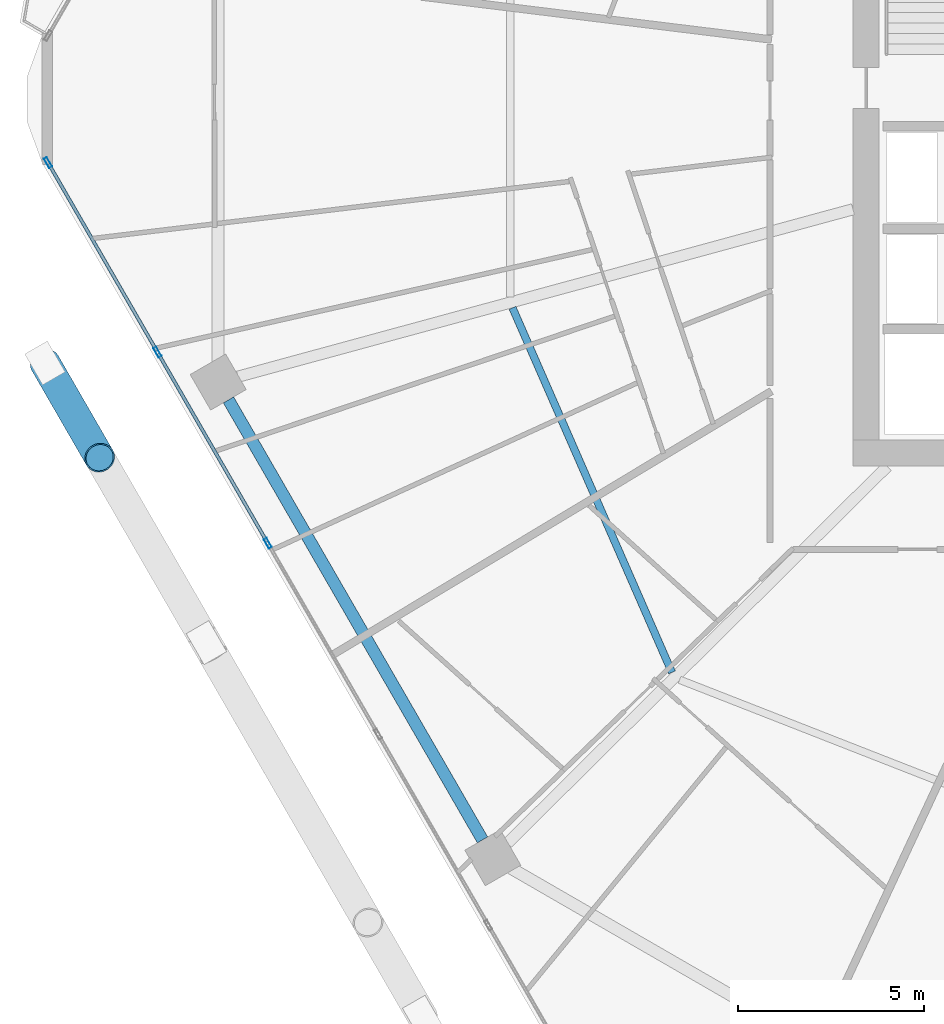
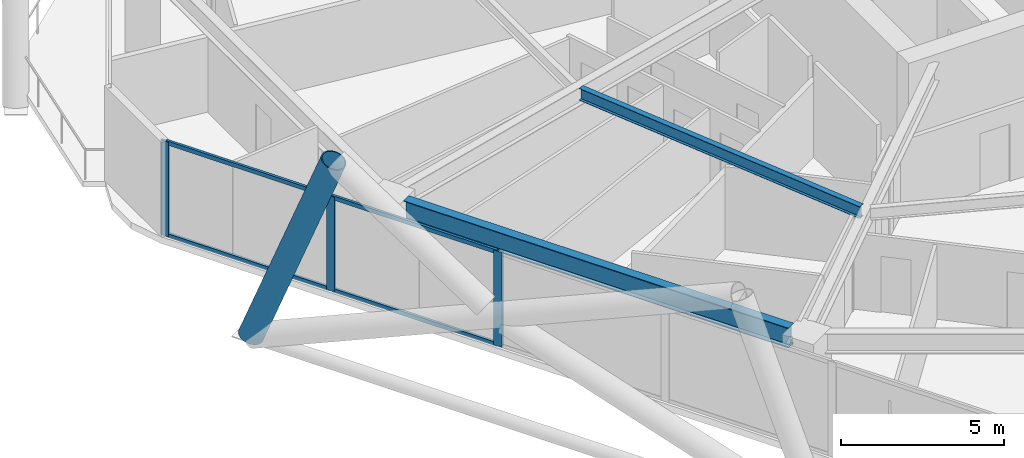
# One storey, part 6 of 36: 8 members, 2 beams, 1 element without a shape of its own.
"""IFC4 building model written with IfcOpenShell, lengths in metres."""

from ifc_helpers import new_model, si_unit, direction, frame, origin, origin_2d, place, context, subcontext, project, spatial, hollow_rectangle, hollow_circle, i_section, extrude, material, material_profile, profile_set, type_object, element, aggregate, save


model = new_model("IFC4")

# Units and contexts
model_context = context("Model", 3, precision=1e-05, world=origin(), true_north=direction((0.0, 1.0)))
body_context = subcontext(model_context, "Body", "Model", "MODEL_VIEW")
ifc_project = project(units=[si_unit("LENGTHUNIT", "METRE"), si_unit("AREAUNIT", "SQUARE_METRE"), si_unit("VOLUMEUNIT", "CUBIC_METRE"), si_unit("PLANEANGLEUNIT", "RADIAN"), si_unit("MASSUNIT", "GRAM", prefix="KILO")], contexts=[model_context])

# Site, building, storey
site_placement = place(None, origin())
site = spatial("IfcSite", under=ifc_project, at=site_placement, CompositionType="ELEMENT")
building_placement = place(site_placement, origin())
building = spatial("IfcBuilding", under=site, at=building_placement, Name="Zuhravey Tower", CompositionType="ELEMENT")
storey_placement = place(building_placement, frame((0.0, 0.0, 107.60009765625)))
storey = spatial("IfcBuildingStorey", under=building, at=storey_placement, Name="L26", CompositionType="ELEMENT", Elevation=107.60009765625)

# Curtain wall, members
ifc_material_1 = material(Name="Thermally broken anodised aluminium", Category="aluminium")
curtain_wall_type = type_object("IfcCurtainWallType", Name="Zone 1-2 Residential Curtain Wall CW3", PredefinedType="NOTDEFINED", material=ifc_material_1)
curtain_wall_placement = place(storey_placement, origin())
curtain_wall = element("IfcCurtainWall", 1, at=curtain_wall_placement, inside=storey, type_object=curtain_wall_type, Name="L26 CW3 CW-L26-F4-1", PredefinedType="NOTDEFINED")
ifc_material_2 = material(Name="Anodised aluminium", Category="aluminium")
ifc_material_profile_1 = material_profile(ifc_material_2, hollow_rectangle(XDim=0.090087890625, YDim=0.284912109375, WallThickness=0.0048828125, at=origin_2d()), Name="ALU-RHS-90x285x5")
ifc_profile_set_1 = profile_set([ifc_material_profile_1], Name="Anodised aluminium")
member_type_1 = type_object("IfcMemberType", Name="Curtain-Wall Mullion 90x180", PredefinedType="MULLION", material=ifc_profile_set_1)
member_1_placement = place(storey_placement, frame((9.44140625, 20.083984375, 0.0), z_axis=(0.0, 0.0, 1.0), x_axis=(-0.86602552265, -0.499999794119, 0.0)))
member_1 = element("IfcMember", 2, at=member_1_placement, type_object=member_type_1, Name="CW3 mullion 4", PredefinedType="MULLION", context=body_context, shape_type="SweptSolid", body=[
    extrude(hollow_rectangle(XDim=0.090087890625, YDim=0.284912109375, WallThickness=0.0048828125, at=origin_2d()), origin(), (0.0, 0.0, 1.0), 3.5498046875),
])
member_2_placement = place(storey_placement, frame((6.4814453125, 25.210693359375, 0.0), z_axis=(0.0, 0.0, 1.0), x_axis=(-0.86602552265, -0.499999794119, 0.0)))
member_2 = element("IfcMember", 3, at=member_2_placement, type_object=member_type_1, Name="CW3 mullion 5", PredefinedType="MULLION", context=body_context, shape_type="SweptSolid", body=[
    extrude(hollow_rectangle(XDim=0.090087890625, YDim=0.284912109375, WallThickness=0.0048828125, at=origin_2d()), origin(), (0.0, 0.0, 1.0), 3.5498046875),
])
member_3_placement = place(storey_placement, frame((3.5439453125, 30.298583984375, 0.0), z_axis=(0.0, 0.0, 1.0), x_axis=(-0.86602552265, -0.499999794119, 0.0)))
member_3 = element("IfcMember", 4, at=member_3_placement, type_object=member_type_1, Name="CW3 mullion 6", PredefinedType="MULLION", context=body_context, shape_type="SweptSolid", body=[
    extrude(hollow_rectangle(XDim=0.090087890625, YDim=0.284912109375, WallThickness=0.0048828125, at=origin_2d()), origin(), (0.0, 0.0, 1.0), 3.5498046875),
])
ifc_material_profile_2 = material_profile(ifc_material_2, hollow_rectangle(XDim=0.090087890625, YDim=0.14990234375, WallThickness=0.0048828125, at=origin_2d()), Name="ALU-RHS-90x150x5")
ifc_profile_set_2 = profile_set([ifc_material_profile_2], Name="Anodised aluminium")
member_type_2 = type_object("IfcMemberType", Name="Curtain-Wall Transom 90x150", PredefinedType="USERDEFINED", material=ifc_profile_set_2)
member_4_placement = place(storey_placement, frame((9.418701171875, 20.123046875, 0.044921875), z_axis=(-0.499981042766, 0.866036348472, 0.0), x_axis=(-0.866036348472, -0.499981042766, 0.0)))
member_4 = element("IfcMember", 5, at=member_4_placement, type_object=member_type_2, Name="CW3 transom 4.1", ObjectType="TRANSOM", PredefinedType="USERDEFINED", context=body_context, shape_type="SweptSolid", body=[
    extrude(hollow_rectangle(XDim=0.090087890625, YDim=0.14990234375, WallThickness=0.0048828125, at=origin_2d()), origin(), (0.0, 0.0, 1.0), 5.829833984375),
])
member_5_placement = place(storey_placement, frame((9.418701171875, 20.123046875, 3.5048828125), z_axis=(-0.499981042766, 0.866036348472, 0.0), x_axis=(-0.866036348472, -0.499981042766, 0.0)))
member_5 = element("IfcMember", 6, at=member_5_placement, type_object=member_type_2, Name="CW3 transom 4.2", ObjectType="TRANSOM", PredefinedType="USERDEFINED", context=body_context, shape_type="SweptSolid", body=[
    extrude(hollow_rectangle(XDim=0.090087890625, YDim=0.14990234375, WallThickness=0.0048828125, at=origin_2d()), origin(), (0.0, 0.0, 1.0), 5.829833984375),
])
member_6_placement = place(storey_placement, frame((6.458984375, 25.249755859375, 0.044921875), z_axis=(-0.500024450573, 0.866011286779, 0.0), x_axis=(-0.866011286779, -0.500024450573, 0.0)))
member_6 = element("IfcMember", 7, at=member_6_placement, type_object=member_type_2, Name="CW3 transom 5.1", ObjectType="TRANSOM", PredefinedType="USERDEFINED", context=body_context, shape_type="SweptSolid", body=[
    extrude(hollow_rectangle(XDim=0.090087890625, YDim=0.14990234375, WallThickness=0.0048828125, at=origin_2d()), origin(), (0.0, 0.0, 1.0), 5.784912109375),
])
member_7_placement = place(storey_placement, frame((6.458984375, 25.249755859375, 3.5048828125), z_axis=(-0.500024450573, 0.866011286779, 0.0), x_axis=(-0.866011286779, -0.500024450573, 0.0)))
member_7 = element("IfcMember", 8, at=member_7_placement, type_object=member_type_2, Name="CW3 transom 5.2", ObjectType="TRANSOM", PredefinedType="USERDEFINED", context=body_context, shape_type="SweptSolid", body=[
    extrude(hollow_rectangle(XDim=0.090087890625, YDim=0.14990234375, WallThickness=0.0048828125, at=origin_2d()), origin(), (0.0, 0.0, 1.0), 5.784912109375),
])
aggregate(curtain_wall, [member_1, member_2, member_3, member_4, member_5, member_6, member_7])

# Member
ifc_material_3 = material(Name="Steel SM460", Category="steel")
ifc_material_profile_3 = material_profile(ifc_material_3, hollow_circle(Radius=0.406494140625, WallThickness=0.035888671875, at=origin_2d()), Name="CHS-812.8x36")
ifc_profile_set_3 = profile_set([ifc_material_profile_3], Name="Steel SM460")
member_type_3 = type_object("IfcMemberType", Name="Exoskeleton Zone 1 Diagrid CHS813x36", PredefinedType="BRACE", material=ifc_profile_set_3)
member_8_placement = place(storey_placement, frame((3.466796875, 24.912109375, -0.442138671875), z_axis=(0.180569214941, -0.312719486379, 0.932524145239), x_axis=(0.866000778371, 0.500042650041, 0.0)))
element("IfcMember", 9, at=member_8_placement, inside=storey, type_object=member_type_3, Name="L26 Face 4 Diagrid Brace 1", PredefinedType="BRACE", context=body_context, shape_type="SweptSolid", body=[
    extrude(hollow_circle(Radius=0.406494140625, WallThickness=0.035888671875, at=origin_2d()), origin(), (0.0, 0.0, 1.0), 8.102783203125),
])

# Beams
ifc_material_4 = material(Name="Steel SM355", Category="steel")
ifc_material_profile_4 = material_profile(ifc_material_4, i_section(OverallWidth=0.320068359375, OverallDepth=0.75, WebThickness=0.013916015625, FlangeThickness=0.02490234375, at=origin_2d()), Name="H-750x320x14x25")
ifc_profile_set_4 = profile_set([ifc_material_profile_4], Name="Steel SM355")
beam_type_1 = type_object("IfcBeamType", Name="Perimeter Ring Beam H750x320", PredefinedType="BEAM", material=ifc_profile_set_4)
beam_1_placement = place(storey_placement, frame((8.387451171875, 23.929443359375, 3.1748046875), z_axis=(0.500008177929, -0.866020682204, 0.0), x_axis=(0.866020682204, 0.500008177929, 0.0)))
element("IfcBeam", 10, at=beam_1_placement, inside=storey, type_object=beam_type_1, Name="L26 PB1 BM-L26-PB-07", PredefinedType="BEAM", context=body_context, shape_type="SweptSolid", body=[
    extrude(i_section(OverallWidth=0.320068359375, OverallDepth=0.75, WebThickness=0.013916015625, FlangeThickness=0.02490234375, at=origin_2d()), origin(), (0.0, 0.0, 1.0), 13.634033203125),
])
ifc_material_profile_5 = material_profile(ifc_material_4, i_section(OverallWidth=0.199951171875, OverallDepth=0.449951171875, WebThickness=0.009033203125, FlangeThickness=0.013916015625, at=origin_2d()), Name="H-450x200x9x14")
ifc_profile_set_5 = profile_set([ifc_material_profile_5], Name="Steel SM355")
beam_type_2 = type_object("IfcBeamType", Name="Secondary Floor Joist H450x200", PredefinedType="JOIST", material=ifc_profile_set_5)
beam_2_placement = place(storey_placement, frame((16.00927734375, 26.400390625, 3.324951171875), z_axis=(0.400786454617, -0.916171500209, 0.0), x_axis=(0.916171500209, 0.400786454617, 0.0)))
element("IfcBeam", 11, at=beam_2_placement, inside=storey, type_object=beam_type_2, Name="L26 SJ1 BM-L26-SJ-07-1", PredefinedType="JOIST", context=body_context, shape_type="SweptSolid", body=[
    extrude(i_section(OverallWidth=0.199951171875, OverallDepth=0.449951171875, WebThickness=0.009033203125, FlangeThickness=0.013916015625, at=origin_2d()), origin(), (0.0, 0.0, 1.0), 10.6796875),
])

save(model, "model.ifc")
